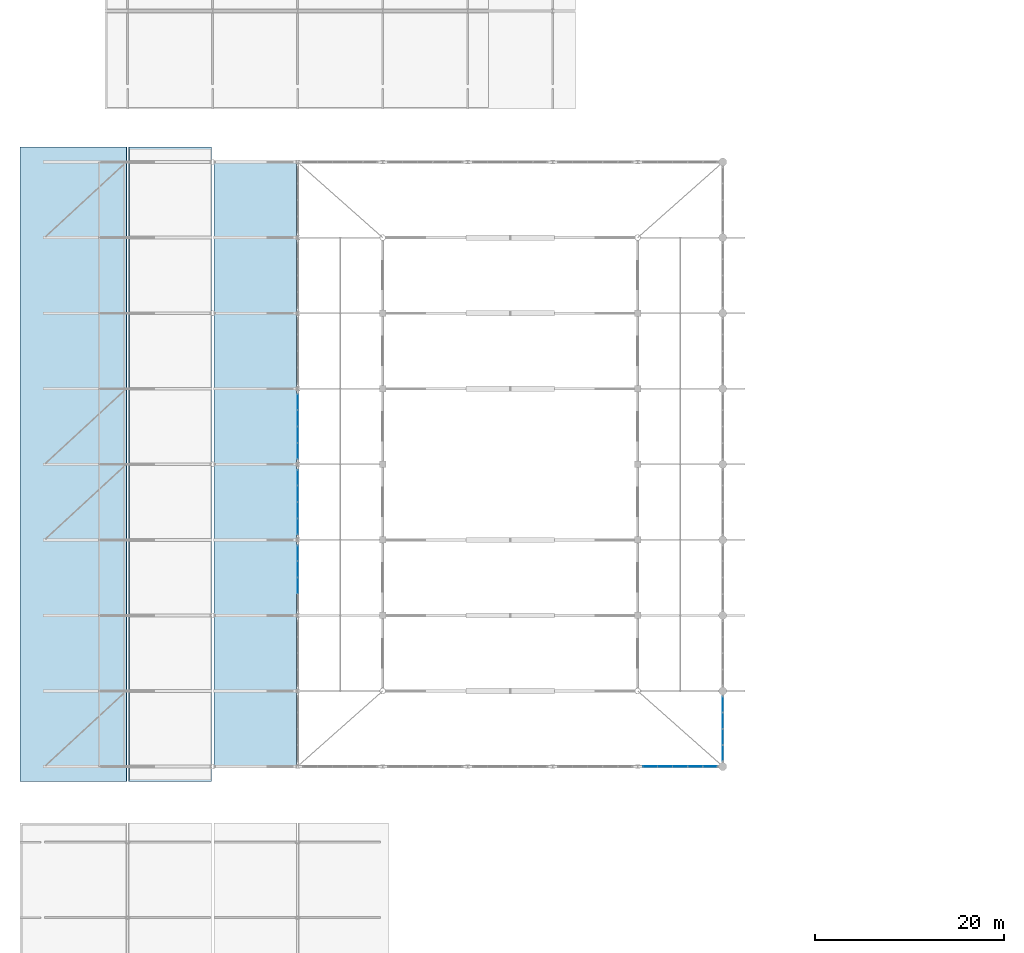
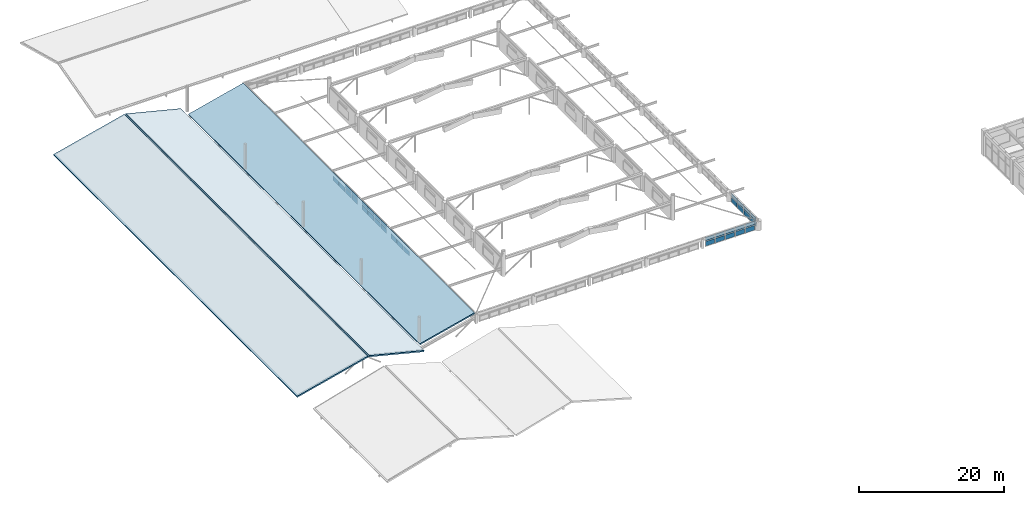
# One storey, part 101 of 128: 40 plates, 3 slabs, 8 elements without a shape of their own.
"""IFC4 building model written with IfcOpenShell, lengths in metres."""

from ifc_helpers import new_model, si_unit, derived_unit, direction, frame, origin, origin_2d, place, context, subcontext, project, spatial, polyline, rectangle, outline, extrude, material, layer, layer_set, type_object, element, aggregate, save


model = new_model("IFC4")

# Units and contexts
model_context = context("Model", 3, precision=1e-05, world=origin(), true_north=direction((0.0, 1.0)))
body_context = subcontext(model_context, "Body", "Model", "MODEL_VIEW")
ifc_project = project(units=[si_unit("LENGTHUNIT", "METRE"), si_unit("AREAUNIT", "SQUARE_METRE"), si_unit("VOLUMEUNIT", "CUBIC_METRE"), si_unit("PLANEANGLEUNIT", "RADIAN"), si_unit("MASSUNIT", "GRAM", prefix="KILO"), derived_unit("THERMALTRANSMITTANCEUNIT", [(si_unit("MASSUNIT", "GRAM", prefix="KILO"), 1), (si_unit("TIMEUNIT", "SECOND"), -3), (si_unit("THERMODYNAMICTEMPERATUREUNIT", "KELVIN"), -1)])], contexts=[model_context])

# Site, building, storey
site_placement = place(None, origin())
site = spatial("IfcSite", under=ifc_project, at=site_placement, CompositionType="ELEMENT")
building_placement = place(site_placement, origin())
building = spatial("IfcBuilding", under=site, at=building_placement, Name="Zhenchuan Archway Interchange", CompositionType="ELEMENT")
storey_placement = place(building_placement, frame((0.0, 0.0, 14.39990234375)))
storey = spatial("IfcBuildingStorey", under=building, at=storey_placement, Name="L03", CompositionType="ELEMENT", Elevation=14.39990234375)

# Curtain wall, plate
ifc_material_1 = material(Name="Anodised Aluminium", Category="aluminium")
curtain_wall_type_1 = type_object("IfcCurtainWallType", Name="CW_UNIT_3", PredefinedType="NOTDEFINED", material=ifc_material_1)
curtain_wall_1_placement = place(storey_placement, origin())
curtain_wall_1 = element("IfcCurtainWall", 1, at=curtain_wall_1_placement, inside=storey, type_object=curtain_wall_type_1, Name="Unitised curtain wall CW:L03:RING-W3", PredefinedType="NOTDEFINED")
ifc_material_2 = material(Name="Double Low-E Insulated Glazing", Category="glass")
ifc_layer_1 = layer(ifc_material_2, 0.028076171875)
ifc_layer_set_1 = layer_set([ifc_layer_1], Name="Double Low-E Insulated Glazing")
plate_type_1 = type_object("IfcPlateType", Name="CW_GLZ_1", PredefinedType="CURTAIN_PANEL", material=ifc_layer_set_1)
plate_1_placement = place(storey_placement, frame((27.0, 46.60009765625, 0.10009765625), z_axis=(0.0, 0.0, 1.0), x_axis=(0.0, 1.0, 0.0)))
plate_1 = element("IfcPlate", 2, at=plate_1_placement, type_object=plate_type_1, Name="CW:L03:RING-W3 lower glazing panel 3", PredefinedType="CURTAIN_PANEL", context=body_context, shape_type="SweptSolid", body=[
    extrude(rectangle(XDim=1.580078125, YDim=0.028076171875, at=origin_2d()), origin(), (0.0, 0.0, 1.0), 0.77294921875),
])

# Curtain wall, plates
curtain_wall_2_placement = place(storey_placement, origin())
curtain_wall_2 = element("IfcCurtainWall", 3, at=curtain_wall_2_placement, inside=storey, type_object=curtain_wall_type_1, Name="Unitised curtain wall CW:L03:RING-W4", PredefinedType="NOTDEFINED")
plate_2_placement = place(storey_placement, frame((27.0, 49.39990234375, 0.10009765625), z_axis=(0.0, 0.0, 1.0), x_axis=(0.0, 1.0, 0.0)))
plate_2 = element("IfcPlate", 4, at=plate_2_placement, type_object=plate_type_1, Name="CW:L03:RING-W4 lower glazing panel 0", PredefinedType="CURTAIN_PANEL", context=body_context, shape_type="SweptSolid", body=[
    extrude(rectangle(XDim=1.580078125, YDim=0.028076171875, at=origin_2d()), origin(), (0.0, 0.0, 1.0), 0.77294921875),
])
plate_3_placement = place(storey_placement, frame((27.0, 54.60009765625, 0.10009765625), z_axis=(0.0, 0.0, 1.0), x_axis=(0.0, 1.0, 0.0)))
plate_3 = element("IfcPlate", 5, at=plate_3_placement, type_object=plate_type_1, Name="CW:L03:RING-W4 lower glazing panel 3", PredefinedType="CURTAIN_PANEL", context=body_context, shape_type="SweptSolid", body=[
    extrude(rectangle(XDim=1.580078125, YDim=0.028076171875, at=origin_2d()), origin(), (0.0, 0.0, 1.0), 0.77294921875),
])

curtain_wall_3_placement = place(storey_placement, origin())
curtain_wall_3 = element("IfcCurtainWall", 6, at=curtain_wall_3_placement, inside=storey, type_object=curtain_wall_type_1, Name="Unitised curtain wall CW:L03:RING-W5", PredefinedType="NOTDEFINED")
plate_4_placement = place(storey_placement, frame((27.0, 57.39990234375, 0.10009765625), z_axis=(0.0, 0.0, 1.0), x_axis=(0.0, 1.0, 0.0)))
plate_4 = element("IfcPlate", 7, at=plate_4_placement, type_object=plate_type_1, Name="CW:L03:RING-W5 lower glazing panel 0", PredefinedType="CURTAIN_PANEL", context=body_context, shape_type="SweptSolid", body=[
    extrude(rectangle(XDim=1.580078125, YDim=0.028076171875, at=origin_2d()), origin(), (0.0, 0.0, 1.0), 0.77294921875),
])
plate_5_placement = place(storey_placement, frame((27.0, 62.60009765625, 0.10009765625), z_axis=(0.0, 0.0, 1.0), x_axis=(0.0, 1.0, 0.0)))
plate_5 = element("IfcPlate", 8, at=plate_5_placement, type_object=plate_type_1, Name="CW:L03:RING-W5 lower glazing panel 3", PredefinedType="CURTAIN_PANEL", context=body_context, shape_type="SweptSolid", body=[
    extrude(rectangle(XDim=1.580078125, YDim=0.028076171875, at=origin_2d()), origin(), (0.0, 0.0, 1.0), 0.77294921875),
])

curtain_wall_4_placement = place(storey_placement, origin())
curtain_wall_4 = element("IfcCurtainWall", 9, at=curtain_wall_4_placement, inside=storey, type_object=curtain_wall_type_1, Name="Unitised curtain wall CW:L03:RING-E1", PredefinedType="NOTDEFINED")
plate_6_placement = place(storey_placement, frame((72.0, 25.39990234375, 0.10009765625), z_axis=(0.0, 0.0, 1.0), x_axis=(0.0, 1.0, 0.0)))
plate_6 = element("IfcPlate", 10, at=plate_6_placement, type_object=plate_type_1, Name="CW:L03:RING-E1 lower glazing panel 0", PredefinedType="CURTAIN_PANEL", context=body_context, shape_type="SweptSolid", body=[
    extrude(rectangle(XDim=1.580078125, YDim=0.028076171875, at=origin_2d()), origin(), (0.0, 0.0, 1.0), 0.77294921875),
])
plate_7_placement = place(storey_placement, frame((72.0, 30.60009765625, 0.10009765625), z_axis=(0.0, 0.0, 1.0), x_axis=(0.0, 1.0, 0.0)))
plate_7 = element("IfcPlate", 11, at=plate_7_placement, type_object=plate_type_1, Name="CW:L03:RING-E1 lower glazing panel 3", PredefinedType="CURTAIN_PANEL", context=body_context, shape_type="SweptSolid", body=[
    extrude(rectangle(XDim=1.580078125, YDim=0.028076171875, at=origin_2d()), origin(), (0.0, 0.0, 1.0), 0.77294921875),
])

curtain_wall_type_2 = type_object("IfcCurtainWallType", Name="CW_UNIT_4", PredefinedType="NOTDEFINED", material=ifc_material_1)
curtain_wall_5_placement = place(storey_placement, origin())
curtain_wall_5 = element("IfcCurtainWall", 12, at=curtain_wall_5_placement, inside=storey, type_object=curtain_wall_type_2, Name="Unitised curtain wall CW:L03:RING-S5", PredefinedType="NOTDEFINED")
plate_8_placement = place(storey_placement, frame((64.325927734375, 24.0, 0.10009765625), z_axis=(0.0, 0.0, 1.0), x_axis=(1.0, 0.0, 0.0)))
plate_8 = element("IfcPlate", 13, at=plate_8_placement, type_object=plate_type_1, Name="CW:L03:RING-S5 lower glazing panel 0", PredefinedType="CURTAIN_PANEL", context=body_context, shape_type="SweptSolid", body=[
    extrude(rectangle(XDim=1.431884765625, YDim=0.028076171875, at=origin_2d()), origin(), (0.0, 0.0, 1.0), 0.77294921875),
])
plate_9_placement = place(storey_placement, frame((65.907958984375, 24.0, 0.10009765625), z_axis=(0.0, 0.0, 1.0), x_axis=(1.0, 0.0, 0.0)))
plate_9 = element("IfcPlate", 14, at=plate_9_placement, type_object=plate_type_1, Name="CW:L03:RING-S5 lower glazing panel 1", PredefinedType="CURTAIN_PANEL", context=body_context, shape_type="SweptSolid", body=[
    extrude(rectangle(XDim=1.451904296875, YDim=0.028076171875, at=origin_2d()), origin(), (0.0, 0.0, 1.0), 0.77294921875),
])
plate_10_placement = place(storey_placement, frame((67.5, 24.0, 0.10009765625), z_axis=(0.0, 0.0, 1.0), x_axis=(1.0, 0.0, 0.0)))
plate_10 = element("IfcPlate", 15, at=plate_10_placement, type_object=plate_type_1, Name="CW:L03:RING-S5 lower glazing panel 2", PredefinedType="CURTAIN_PANEL", context=body_context, shape_type="SweptSolid", body=[
    extrude(rectangle(XDim=1.451904296875, YDim=0.028076171875, at=origin_2d()), origin(), (0.0, 0.0, 1.0), 0.77294921875),
])
plate_11_placement = place(storey_placement, frame((69.092041015625, 24.0, 0.10009765625), z_axis=(0.0, 0.0, 1.0), x_axis=(1.0, 0.0, 0.0)))
plate_11 = element("IfcPlate", 16, at=plate_11_placement, type_object=plate_type_1, Name="CW:L03:RING-S5 lower glazing panel 3", PredefinedType="CURTAIN_PANEL", context=body_context, shape_type="SweptSolid", body=[
    extrude(rectangle(XDim=1.451904296875, YDim=0.028076171875, at=origin_2d()), origin(), (0.0, 0.0, 1.0), 0.77294921875),
])
plate_12_placement = place(storey_placement, frame((70.674072265625, 24.0, 0.10009765625), z_axis=(0.0, 0.0, 1.0), x_axis=(1.0, 0.0, 0.0)))
plate_12 = element("IfcPlate", 17, at=plate_12_placement, type_object=plate_type_1, Name="CW:L03:RING-S5 lower glazing panel 4", PredefinedType="CURTAIN_PANEL", context=body_context, shape_type="SweptSolid", body=[
    extrude(rectangle(XDim=1.431884765625, YDim=0.028076171875, at=origin_2d()), origin(), (0.0, 0.0, 1.0), 0.77294921875),
])

# Plate
ifc_layer_2 = layer(ifc_material_2, 0.02587890625)
ifc_layer_set_2 = layer_set([ifc_layer_2], Name="Double Low-E Insulated Glazing")
plate_type_2 = type_object("IfcPlateType", Name="CW_GLZ_2", PredefinedType="CURTAIN_PANEL", material=ifc_layer_set_2)
plate_13_placement = place(storey_placement, frame((27.0, 46.60009765625, 0.9931640625), z_axis=(0.0, 0.0, 1.0), x_axis=(0.0, 1.0, 0.0)))
plate_13 = element("IfcPlate", 18, at=plate_13_placement, type_object=plate_type_2, Name="CW:L03:RING-W3 upper glazing panel 3", PredefinedType="CURTAIN_PANEL", context=body_context, shape_type="SweptSolid", body=[
    extrude(rectangle(XDim=1.580078125, YDim=0.02587890625, at=origin_2d()), origin(), (0.0, 0.0, 1.0), 0.60693359375),
])

plate_14_placement = place(storey_placement, frame((27.0, 49.39990234375, 0.9931640625), z_axis=(0.0, 0.0, 1.0), x_axis=(0.0, 1.0, 0.0)))
plate_14 = element("IfcPlate", 19, at=plate_14_placement, type_object=plate_type_2, Name="CW:L03:RING-W4 upper glazing panel 0", PredefinedType="CURTAIN_PANEL", context=body_context, shape_type="SweptSolid", body=[
    extrude(rectangle(XDim=1.580078125, YDim=0.02587890625, at=origin_2d()), origin(), (0.0, 0.0, 1.0), 0.60693359375),
])

plate_15_placement = place(storey_placement, frame((27.0, 54.60009765625, 0.9931640625), z_axis=(0.0, 0.0, 1.0), x_axis=(0.0, 1.0, 0.0)))
plate_15 = element("IfcPlate", 20, at=plate_15_placement, type_object=plate_type_2, Name="CW:L03:RING-W4 upper glazing panel 3", PredefinedType="CURTAIN_PANEL", context=body_context, shape_type="SweptSolid", body=[
    extrude(rectangle(XDim=1.580078125, YDim=0.02587890625, at=origin_2d()), origin(), (0.0, 0.0, 1.0), 0.60693359375),
])

plate_16_placement = place(storey_placement, frame((27.0, 57.39990234375, 0.9931640625), z_axis=(0.0, 0.0, 1.0), x_axis=(0.0, 1.0, 0.0)))
plate_16 = element("IfcPlate", 21, at=plate_16_placement, type_object=plate_type_2, Name="CW:L03:RING-W5 upper glazing panel 0", PredefinedType="CURTAIN_PANEL", context=body_context, shape_type="SweptSolid", body=[
    extrude(rectangle(XDim=1.580078125, YDim=0.02587890625, at=origin_2d()), origin(), (0.0, 0.0, 1.0), 0.60693359375),
])

plate_17_placement = place(storey_placement, frame((27.0, 62.60009765625, 0.9931640625), z_axis=(0.0, 0.0, 1.0), x_axis=(0.0, 1.0, 0.0)))
plate_17 = element("IfcPlate", 22, at=plate_17_placement, type_object=plate_type_2, Name="CW:L03:RING-W5 upper glazing panel 3", PredefinedType="CURTAIN_PANEL", context=body_context, shape_type="SweptSolid", body=[
    extrude(rectangle(XDim=1.580078125, YDim=0.02587890625, at=origin_2d()), origin(), (0.0, 0.0, 1.0), 0.60693359375),
])

plate_18_placement = place(storey_placement, frame((72.0, 25.39990234375, 0.9931640625), z_axis=(0.0, 0.0, 1.0), x_axis=(0.0, 1.0, 0.0)))
plate_18 = element("IfcPlate", 23, at=plate_18_placement, type_object=plate_type_2, Name="CW:L03:RING-E1 upper glazing panel 0", PredefinedType="CURTAIN_PANEL", context=body_context, shape_type="SweptSolid", body=[
    extrude(rectangle(XDim=1.580078125, YDim=0.02587890625, at=origin_2d()), origin(), (0.0, 0.0, 1.0), 0.60693359375),
])

plate_19_placement = place(storey_placement, frame((72.0, 30.60009765625, 0.9931640625), z_axis=(0.0, 0.0, 1.0), x_axis=(0.0, 1.0, 0.0)))
plate_19 = element("IfcPlate", 24, at=plate_19_placement, type_object=plate_type_2, Name="CW:L03:RING-E1 upper glazing panel 3", PredefinedType="CURTAIN_PANEL", context=body_context, shape_type="SweptSolid", body=[
    extrude(rectangle(XDim=1.580078125, YDim=0.02587890625, at=origin_2d()), origin(), (0.0, 0.0, 1.0), 0.60693359375),
])

plate_20_placement = place(storey_placement, frame((64.325927734375, 24.0, 0.9931640625), z_axis=(0.0, 0.0, 1.0), x_axis=(1.0, 0.0, 0.0)))
plate_20 = element("IfcPlate", 25, at=plate_20_placement, type_object=plate_type_2, Name="CW:L03:RING-S5 upper glazing panel 0", PredefinedType="CURTAIN_PANEL", context=body_context, shape_type="SweptSolid", body=[
    extrude(rectangle(XDim=1.431884765625, YDim=0.02587890625, at=origin_2d()), origin(), (0.0, 0.0, 1.0), 0.60693359375),
])

plate_21_placement = place(storey_placement, frame((65.907958984375, 24.0, 0.9931640625), z_axis=(0.0, 0.0, 1.0), x_axis=(1.0, 0.0, 0.0)))
plate_21 = element("IfcPlate", 26, at=plate_21_placement, type_object=plate_type_2, Name="CW:L03:RING-S5 upper glazing panel 1", PredefinedType="CURTAIN_PANEL", context=body_context, shape_type="SweptSolid", body=[
    extrude(rectangle(XDim=1.451904296875, YDim=0.02587890625, at=origin_2d()), origin(), (0.0, 0.0, 1.0), 0.60693359375),
])

plate_22_placement = place(storey_placement, frame((67.5, 24.0, 0.9931640625), z_axis=(0.0, 0.0, 1.0), x_axis=(1.0, 0.0, 0.0)))
plate_22 = element("IfcPlate", 27, at=plate_22_placement, type_object=plate_type_2, Name="CW:L03:RING-S5 upper glazing panel 2", PredefinedType="CURTAIN_PANEL", context=body_context, shape_type="SweptSolid", body=[
    extrude(rectangle(XDim=1.451904296875, YDim=0.02587890625, at=origin_2d()), origin(), (0.0, 0.0, 1.0), 0.60693359375),
])

plate_23_placement = place(storey_placement, frame((69.092041015625, 24.0, 0.9931640625), z_axis=(0.0, 0.0, 1.0), x_axis=(1.0, 0.0, 0.0)))
plate_23 = element("IfcPlate", 28, at=plate_23_placement, type_object=plate_type_2, Name="CW:L03:RING-S5 upper glazing panel 3", PredefinedType="CURTAIN_PANEL", context=body_context, shape_type="SweptSolid", body=[
    extrude(rectangle(XDim=1.451904296875, YDim=0.02587890625, at=origin_2d()), origin(), (0.0, 0.0, 1.0), 0.60693359375),
])

plate_24_placement = place(storey_placement, frame((70.674072265625, 24.0, 0.9931640625), z_axis=(0.0, 0.0, 1.0), x_axis=(1.0, 0.0, 0.0)))
plate_24 = element("IfcPlate", 29, at=plate_24_placement, type_object=plate_type_2, Name="CW:L03:RING-S5 upper glazing panel 4", PredefinedType="CURTAIN_PANEL", context=body_context, shape_type="SweptSolid", body=[
    extrude(rectangle(XDim=1.431884765625, YDim=0.02587890625, at=origin_2d()), origin(), (0.0, 0.0, 1.0), 0.60693359375),
])

aggregate(curtain_wall_5, [plate_8, plate_20, plate_9, plate_21, plate_10, plate_22, plate_11, plate_23, plate_12, plate_24])

ifc_layer_3 = layer(ifc_material_2, 0.030029296875)
ifc_layer_set_3 = layer_set([ifc_layer_3], Name="Double Low-E Insulated Glazing")
plate_type_3 = type_object("IfcPlateType", Name="CW_GLZ_3", PredefinedType="CURTAIN_PANEL", material=ifc_layer_set_3)
plate_25_placement = place(storey_placement, frame((27.0, 43.1298828125, 0.10009765625), z_axis=(0.0, 0.0, 1.0), x_axis=(0.0, 1.0, 0.0)))
plate_25 = element("IfcPlate", 30, at=plate_25_placement, type_object=plate_type_3, Name="CW:L03:RING-W3 lower glazing panel 1", PredefinedType="CURTAIN_PANEL", context=body_context, shape_type="SweptSolid", body=[
    extrude(rectangle(XDim=1.60009765625, YDim=0.028076171875, at=origin_2d()), origin(), (0.0, 0.0, 1.0), 0.77294921875),
])

plate_26_placement = place(storey_placement, frame((27.0, 44.8701171875, 0.10009765625), z_axis=(0.0, 0.0, 1.0), x_axis=(0.0, 1.0, 0.0)))
plate_26 = element("IfcPlate", 31, at=plate_26_placement, type_object=plate_type_3, Name="CW:L03:RING-W3 lower glazing panel 2", PredefinedType="CURTAIN_PANEL", context=body_context, shape_type="SweptSolid", body=[
    extrude(rectangle(XDim=1.60009765625, YDim=0.028076171875, at=origin_2d()), origin(), (0.0, 0.0, 1.0), 0.77294921875),
])

plate_27_placement = place(storey_placement, frame((27.0, 51.1298828125, 0.10009765625), z_axis=(0.0, 0.0, 1.0), x_axis=(0.0, 1.0, 0.0)))
plate_27 = element("IfcPlate", 32, at=plate_27_placement, type_object=plate_type_3, Name="CW:L03:RING-W4 lower glazing panel 1", PredefinedType="CURTAIN_PANEL", context=body_context, shape_type="SweptSolid", body=[
    extrude(rectangle(XDim=1.60009765625, YDim=0.028076171875, at=origin_2d()), origin(), (0.0, 0.0, 1.0), 0.77294921875),
])

plate_28_placement = place(storey_placement, frame((27.0, 52.8701171875, 0.10009765625), z_axis=(0.0, 0.0, 1.0), x_axis=(0.0, 1.0, 0.0)))
plate_28 = element("IfcPlate", 33, at=plate_28_placement, type_object=plate_type_3, Name="CW:L03:RING-W4 lower glazing panel 2", PredefinedType="CURTAIN_PANEL", context=body_context, shape_type="SweptSolid", body=[
    extrude(rectangle(XDim=1.60009765625, YDim=0.028076171875, at=origin_2d()), origin(), (0.0, 0.0, 1.0), 0.77294921875),
])

plate_29_placement = place(storey_placement, frame((27.0, 59.1298828125, 0.10009765625), z_axis=(0.0, 0.0, 1.0), x_axis=(0.0, 1.0, 0.0)))
plate_29 = element("IfcPlate", 34, at=plate_29_placement, type_object=plate_type_3, Name="CW:L03:RING-W5 lower glazing panel 1", PredefinedType="CURTAIN_PANEL", context=body_context, shape_type="SweptSolid", body=[
    extrude(rectangle(XDim=1.60009765625, YDim=0.028076171875, at=origin_2d()), origin(), (0.0, 0.0, 1.0), 0.77294921875),
])

plate_30_placement = place(storey_placement, frame((27.0, 60.8701171875, 0.10009765625), z_axis=(0.0, 0.0, 1.0), x_axis=(0.0, 1.0, 0.0)))
plate_30 = element("IfcPlate", 35, at=plate_30_placement, type_object=plate_type_3, Name="CW:L03:RING-W5 lower glazing panel 2", PredefinedType="CURTAIN_PANEL", context=body_context, shape_type="SweptSolid", body=[
    extrude(rectangle(XDim=1.60009765625, YDim=0.028076171875, at=origin_2d()), origin(), (0.0, 0.0, 1.0), 0.77294921875),
])

plate_31_placement = place(storey_placement, frame((72.0, 27.1298828125, 0.10009765625), z_axis=(0.0, 0.0, 1.0), x_axis=(0.0, 1.0, 0.0)))
plate_31 = element("IfcPlate", 36, at=plate_31_placement, type_object=plate_type_3, Name="CW:L03:RING-E1 lower glazing panel 1", PredefinedType="CURTAIN_PANEL", context=body_context, shape_type="SweptSolid", body=[
    extrude(rectangle(XDim=1.60009765625, YDim=0.028076171875, at=origin_2d()), origin(), (0.0, 0.0, 1.0), 0.77294921875),
])

plate_32_placement = place(storey_placement, frame((72.0, 28.8701171875, 0.10009765625), z_axis=(0.0, 0.0, 1.0), x_axis=(0.0, 1.0, 0.0)))
plate_32 = element("IfcPlate", 37, at=plate_32_placement, type_object=plate_type_3, Name="CW:L03:RING-E1 lower glazing panel 2", PredefinedType="CURTAIN_PANEL", context=body_context, shape_type="SweptSolid", body=[
    extrude(rectangle(XDim=1.60009765625, YDim=0.028076171875, at=origin_2d()), origin(), (0.0, 0.0, 1.0), 0.77294921875),
])

ifc_layer_4 = layer(ifc_material_2, 0.02392578125)
ifc_layer_set_4 = layer_set([ifc_layer_4], Name="Double Low-E Insulated Glazing")
plate_type_4 = type_object("IfcPlateType", Name="CW_GLZ_4", PredefinedType="CURTAIN_PANEL", material=ifc_layer_set_4)
plate_33_placement = place(storey_placement, frame((27.0, 43.1298828125, 0.9931640625), z_axis=(0.0, 0.0, 1.0), x_axis=(0.0, 1.0, 0.0)))
plate_33 = element("IfcPlate", 38, at=plate_33_placement, type_object=plate_type_4, Name="CW:L03:RING-W3 upper glazing panel 1", PredefinedType="CURTAIN_PANEL", context=body_context, shape_type="SweptSolid", body=[
    extrude(rectangle(XDim=1.60009765625, YDim=0.02587890625, at=origin_2d()), origin(), (0.0, 0.0, 1.0), 0.60693359375),
])

plate_34_placement = place(storey_placement, frame((27.0, 44.8701171875, 0.9931640625), z_axis=(0.0, 0.0, 1.0), x_axis=(0.0, 1.0, 0.0)))
plate_34 = element("IfcPlate", 39, at=plate_34_placement, type_object=plate_type_4, Name="CW:L03:RING-W3 upper glazing panel 2", PredefinedType="CURTAIN_PANEL", context=body_context, shape_type="SweptSolid", body=[
    extrude(rectangle(XDim=1.60009765625, YDim=0.02587890625, at=origin_2d()), origin(), (0.0, 0.0, 1.0), 0.60693359375),
])

aggregate(curtain_wall_1, [plate_25, plate_33, plate_26, plate_34, plate_1, plate_13])

plate_35_placement = place(storey_placement, frame((27.0, 51.1298828125, 0.9931640625), z_axis=(0.0, 0.0, 1.0), x_axis=(0.0, 1.0, 0.0)))
plate_35 = element("IfcPlate", 40, at=plate_35_placement, type_object=plate_type_4, Name="CW:L03:RING-W4 upper glazing panel 1", PredefinedType="CURTAIN_PANEL", context=body_context, shape_type="SweptSolid", body=[
    extrude(rectangle(XDim=1.60009765625, YDim=0.02587890625, at=origin_2d()), origin(), (0.0, 0.0, 1.0), 0.60693359375),
])

plate_36_placement = place(storey_placement, frame((27.0, 52.8701171875, 0.9931640625), z_axis=(0.0, 0.0, 1.0), x_axis=(0.0, 1.0, 0.0)))
plate_36 = element("IfcPlate", 41, at=plate_36_placement, type_object=plate_type_4, Name="CW:L03:RING-W4 upper glazing panel 2", PredefinedType="CURTAIN_PANEL", context=body_context, shape_type="SweptSolid", body=[
    extrude(rectangle(XDim=1.60009765625, YDim=0.02587890625, at=origin_2d()), origin(), (0.0, 0.0, 1.0), 0.60693359375),
])

aggregate(curtain_wall_2, [plate_2, plate_14, plate_27, plate_35, plate_28, plate_36, plate_3, plate_15])

plate_37_placement = place(storey_placement, frame((27.0, 59.1298828125, 0.9931640625), z_axis=(0.0, 0.0, 1.0), x_axis=(0.0, 1.0, 0.0)))
plate_37 = element("IfcPlate", 42, at=plate_37_placement, type_object=plate_type_4, Name="CW:L03:RING-W5 upper glazing panel 1", PredefinedType="CURTAIN_PANEL", context=body_context, shape_type="SweptSolid", body=[
    extrude(rectangle(XDim=1.60009765625, YDim=0.02587890625, at=origin_2d()), origin(), (0.0, 0.0, 1.0), 0.60693359375),
])

plate_38_placement = place(storey_placement, frame((27.0, 60.8701171875, 0.9931640625), z_axis=(0.0, 0.0, 1.0), x_axis=(0.0, 1.0, 0.0)))
plate_38 = element("IfcPlate", 43, at=plate_38_placement, type_object=plate_type_4, Name="CW:L03:RING-W5 upper glazing panel 2", PredefinedType="CURTAIN_PANEL", context=body_context, shape_type="SweptSolid", body=[
    extrude(rectangle(XDim=1.60009765625, YDim=0.02587890625, at=origin_2d()), origin(), (0.0, 0.0, 1.0), 0.60693359375),
])

aggregate(curtain_wall_3, [plate_4, plate_16, plate_29, plate_37, plate_30, plate_38, plate_5, plate_17])

plate_39_placement = place(storey_placement, frame((72.0, 27.1298828125, 0.9931640625), z_axis=(0.0, 0.0, 1.0), x_axis=(0.0, 1.0, 0.0)))
plate_39 = element("IfcPlate", 44, at=plate_39_placement, type_object=plate_type_4, Name="CW:L03:RING-E1 upper glazing panel 1", PredefinedType="CURTAIN_PANEL", context=body_context, shape_type="SweptSolid", body=[
    extrude(rectangle(XDim=1.60009765625, YDim=0.02587890625, at=origin_2d()), origin(), (0.0, 0.0, 1.0), 0.60693359375),
])

plate_40_placement = place(storey_placement, frame((72.0, 28.8701171875, 0.9931640625), z_axis=(0.0, 0.0, 1.0), x_axis=(0.0, 1.0, 0.0)))
plate_40 = element("IfcPlate", 45, at=plate_40_placement, type_object=plate_type_4, Name="CW:L03:RING-E1 upper glazing panel 2", PredefinedType="CURTAIN_PANEL", context=body_context, shape_type="SweptSolid", body=[
    extrude(rectangle(XDim=1.60009765625, YDim=0.02587890625, at=origin_2d()), origin(), (0.0, 0.0, 1.0), 0.60693359375),
])

aggregate(curtain_wall_4, [plate_6, plate_18, plate_31, plate_39, plate_32, plate_40, plate_7, plate_19])

# Roof, slab
ifc_material_3 = material(Name="Steel Q390", Category="steel")
roof_type = type_object("IfcRoofType", Name="ROOF_CANOPY_STAYED", PredefinedType="GABLE_ROOF", material=ifc_material_3)
roof_1_placement = place(storey_placement, origin())
roof_1 = element("IfcRoof", 46, at=roof_1_placement, inside=storey, type_object=roof_type, Name="Bus deck cable-stayed canopy west slope", PredefinedType="GABLE_ROOF")
ifc_material_4 = material(Name="Concrete C35", Category="concrete")
ifc_layer_5 = layer(ifc_material_4, 0.219970703125)
ifc_layer_set_5 = layer_set([ifc_layer_5], Name="Concrete C35")
slab_type = type_object("IfcSlabType", Name="SLB_CANOPY_220", PredefinedType="ROOF", material=ifc_layer_set_5)
slab_1_placement = place(storey_placement, frame((-2.39990234375, 22.39990234375, -1.119873046875), z_axis=(-0.242545506338, 0.0, 0.970140029766), x_axis=(0.970140029766, 0.0, 0.242545506338)))
slab_1 = element("IfcSlab", 47, at=slab_1_placement, type_object=slab_type, Name="Bus canopy west cable-stayed roof slope", PredefinedType="ROOF", context=body_context, shape_type="SweptSolid", body=[
    extrude(outline(polyline([(0.0, 0.0), (11.626966015375888, 0.0), (11.626966015375888, 67.20019531249999), (0.0, 67.20019531249999), (0.0, 0.0)])), origin(), (0.0, 0.0, -1.0), 0.219970703125),
])
aggregate(roof_1, [slab_1])

roof_2_placement = place(storey_placement, origin())
roof_2 = element("IfcRoof", 48, at=roof_2_placement, inside=storey, type_object=roof_type, Name="Bus deck cable-stayed canopy middle slope", PredefinedType="GABLE_ROOF")
slab_2_placement = place(storey_placement, frame((9.1201171875, 22.39990234375, 1.7001953125), z_axis=(0.242561072815, 0.0, 0.970136137846), x_axis=(0.970136137846, 0.0, -0.242561072815)))
slab_2 = element("IfcSlab", 49, at=slab_2_placement, type_object=slab_type, Name="Bus canopy middle cable-stayed roof slope", PredefinedType="ROOF", context=body_context, shape_type="SweptSolid", body=[
    extrude(outline(polyline([(0.0, 0.0), (9.029418947787935, 0.0), (9.029418947787935, 67.2001953125), (0.0, 67.2001953125), (0.0, 0.0)])), origin(), (0.0, 0.0, -1.0), 0.219970703125),
])
aggregate(roof_2, [slab_2])

roof_3_placement = place(storey_placement, origin())
roof_3 = element("IfcRoof", 50, at=roof_3_placement, inside=storey, type_object=roof_type, Name="Bus deck cable-stayed canopy east slope", PredefinedType="GABLE_ROOF")
slab_3_placement = place(storey_placement, frame((18.1201171875, 24.10009765625, -0.489990234375), z_axis=(-0.242542001423, 0.0, 0.970140906026), x_axis=(0.970140906026, 0.0, 0.242542001423)))
slab_3 = element("IfcSlab", 51, at=slab_3_placement, type_object=slab_type, Name="Bus canopy east cable-stayed roof slope", PredefinedType="ROOF", context=body_context, shape_type="SweptSolid", body=[
    extrude(outline(polyline([(0.0, 0.0), (9.008990529193108, 0.0), (9.008990529193108, 63.799804687500014), (0.0, 63.799804687500014), (0.0, 0.0)])), origin(), (0.0, 0.0, -1.0), 0.219970703125),
])
aggregate(roof_3, [slab_3])

save(model, "model.ifc")
